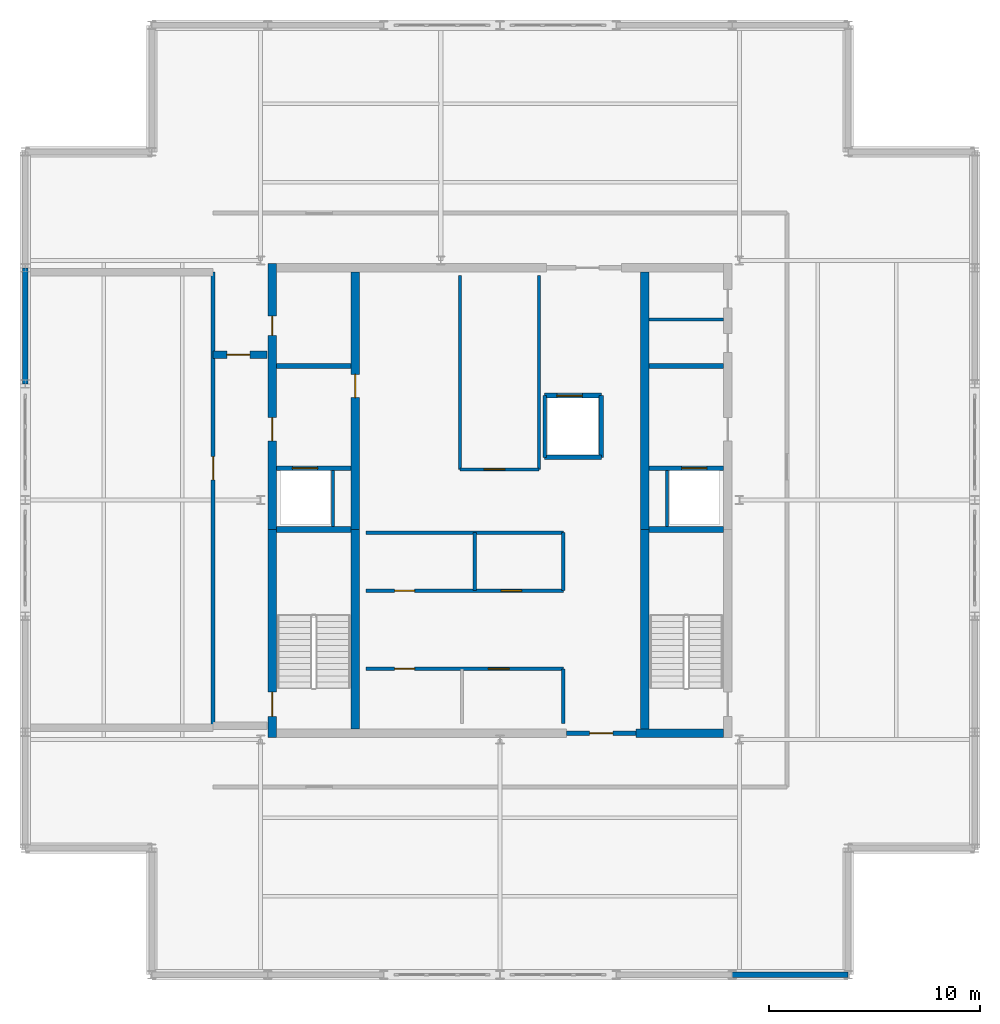
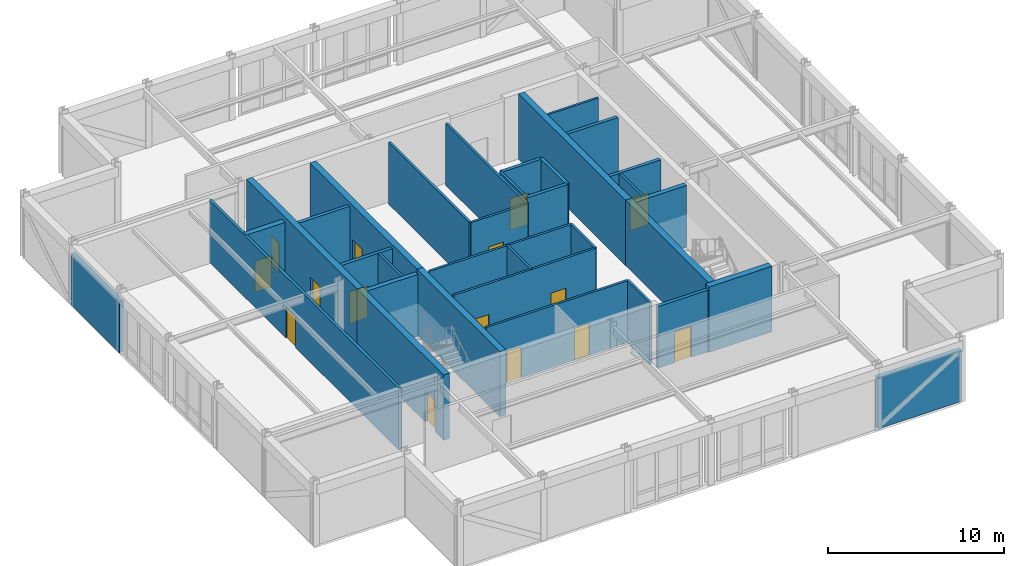
# One storey, part 7 of 9: 34 walls, 15 doors, 15 openings.
"""IFC4 building model written with IfcOpenShell, lengths in metres."""

from ifc_helpers import new_model, si_unit, direction, frame, frame_2d, origin, place, context, subcontext, project, spatial, rectangle, extrude, material, layer, layer_set, type_object, element, fill, save


model = new_model("IFC4")

# Units and contexts
model_context = context("Model", 3, precision=1e-05, world=origin(), true_north=direction((0.0, 1.0)))
body_context = subcontext(model_context, "Body", "Model", "MODEL_VIEW")
ifc_project = project(units=[si_unit("LENGTHUNIT", "METRE"), si_unit("AREAUNIT", "SQUARE_METRE"), si_unit("VOLUMEUNIT", "CUBIC_METRE"), si_unit("PLANEANGLEUNIT", "RADIAN"), si_unit("MASSUNIT", "GRAM", prefix="KILO")], contexts=[model_context])

# Site, building, storey
site_placement = place(None, origin())
site = spatial("IfcSite", under=ifc_project, at=site_placement, CompositionType="ELEMENT")
building_placement = place(site_placement, origin())
building = spatial("IfcBuilding", under=site, at=building_placement, Name="Nhamokura Convention Tower", CompositionType="ELEMENT")
storey_placement = place(building_placement, frame((0.0, 0.0, 317.800048828125)))
storey = spatial("IfcBuildingStorey", under=building, at=storey_placement, Name="L78", CompositionType="ELEMENT", Elevation=317.800048828125)

# Walls
ifc_material_1 = material(Name="Moisture-resistant tile-backer partition", Category="masonry")
ifc_layer_1 = layer(ifc_material_1, 0.139892578125)
ifc_layer_set_1 = layer_set([ifc_layer_1], Name="BathroomWetWall_140")
wall_type_1 = type_object("IfcWallType", Name="BathroomWetWall_140", PredefinedType="STANDARD", material=ifc_layer_set_1)
wall_1_placement = place(storey_placement, frame((39.06005859375, 40.550048828125, 0.0), z_axis=(0.0, 0.0, 1.0), x_axis=(1.0, 0.0, 0.0)))
element("IfcWall", 1, at=wall_1_placement, inside=storey, type_object=wall_type_1, Name="L78 Wall INT-L78-CWNE", PredefinedType="STANDARD", context=body_context, shape_type="SweptSolid", body=[
    extrude(rectangle(XDim=3.530029296875, YDim=0.139892578125, at=frame_2d((1.76513671875, 0.0))), origin(), (0.0, 0.0, 1.0), 4.2900390625),
])
ifc_material_2 = material(Name="Bronze-pigmented precast concrete C45/55", Category="concrete")
ifc_layer_2 = layer(ifc_material_2, 0.280029296875)
ifc_layer_set_2 = layer_set([ifc_layer_2], Name="BronzePrecastSpandrel_280")
wall_type_2 = type_object("IfcWallType", Name="BronzePrecastSpandrel_280", PredefinedType="USERDEFINED", material=ifc_layer_set_2)
for number, where, z_axis, x_axis, name in (
    (2, (48.5, 9.5, 0.0), (0.0, 0.0, 1.0), (-1.0, 0.0, 0.0), "L78 Crown Wall SOUTH 5"),
    (3, (9.5, 37.5, 0.0), (0.0, 0.0, 1.0), (0.0, 1.0, 0.0), "L78 Crown Wall WEST 4"),
):
    element("IfcWall", number, at=place(storey_placement, frame(where, z_axis=z_axis, x_axis=x_axis)), inside=storey, type_object=wall_type_2, Name=name, ObjectType="SPANDREL_WALL", PredefinedType="USERDEFINED", context=body_context, shape_type="SweptSolid", body=[
        extrude(rectangle(XDim=5.5, YDim=0.280029296875, at=frame_2d((2.75, 0.0))), origin(), (0.0, 0.0, 1.0), 3.570068359375),
    ])

# Wall, opening, door
ifc_material_3 = material(Name="Concrete C50/60", Category="concrete")
ifc_layer_3 = layer(ifc_material_3, 0.39990234375)
ifc_layer_set_3 = layer_set([ifc_layer_3], Name="CoreShearWall_400")
wall_type_3 = type_object("IfcWallType", Name="CoreShearWall_400", PredefinedType="SHEAR", material=ifc_layer_set_3)
wall_2_placement = place(storey_placement, frame((21.2099609375, 20.75, 0.0), z_axis=(0.0, 0.0, 1.0), x_axis=(0.0, 1.0, 0.0)))
wall_2 = element("IfcWall", 4, at=wall_2_placement, inside=storey, type_object=wall_type_3, Name="L78 Core Shear Wall CW-WS", PredefinedType="SHEAR", context=body_context, shape_type="SweptSolid", body=[
    extrude(rectangle(XDim=9.85009765625, YDim=0.39990234375, at=frame_2d((4.925048828125, 0.0))), origin(), (0.0, 0.0, 1.0), 4.550048828125),
])
opening_1_placement = place(wall_2_placement, frame((1.0, 0.0, 0.0)))
opening_1 = element("IfcOpeningElement", 5, at=opening_1_placement, cuts=wall_2, Name="Opening D-04", PredefinedType="OPENING", context=body_context, shape_type="SweptSolid", body=[
    extrude(rectangle(XDim=1.14990234375, YDim=2.14990234375, at=frame_2d((0.574951171875, 1.074951171875))), frame((0.0, 0.2099609375, 0.0), z_axis=(0.0, -1.0, 0.0), x_axis=(1.0, 0.0, 0.0)), (0.0, 0.0, 1.0), 0.419921875),
])
ifc_material_4 = material(Name="Fire-rated steel door", Category="steel")
door_type_1 = type_object("IfcDoorType", Name="StairSmokeDoor_1150", OperationType="NOTDEFINED", PredefinedType="DOOR", material=ifc_material_4)
door_1_placement = place(opening_1_placement, origin())
door_1 = element("IfcDoor", 6, at=door_1_placement, inside=storey, type_object=door_type_1, Name="L78 Core Door INT-L78-D-ST01", OperationType="SINGLE_SWING_LEFT", OverallHeight=2.14990234375, OverallWidth=1.14990234375, PredefinedType="DOOR", context=body_context, shape_type="SweptSolid", body=[
    extrude(rectangle(XDim=1.14990234375, YDim=2.14990234375, at=frame_2d((0.574951171875, 1.074951171875))), frame((0.0, 0.02490234375, 0.0), z_axis=(0.0, -1.0, 0.0), x_axis=(1.0, 0.0, 0.0)), (0.0, 0.0, 1.0), 0.050048828125),
])
fill(opening_1, door_1)

# Wall, openings, doors
wall_3_placement = place(storey_placement, frame((21.2099609375, 30.60009765625, 0.0), z_axis=(0.0, 0.0, 1.0), x_axis=(0.0, 1.0, 0.0)))
wall_3 = element("IfcWall", 7, at=wall_3_placement, inside=storey, type_object=wall_type_3, Name="L78 Core Shear Wall CW-WN", PredefinedType="SHEAR", context=body_context, shape_type="SweptSolid", body=[
    extrude(rectangle(XDim=12.599853515625, YDim=0.39990234375, at=frame_2d((6.2998046875, 0.0))), origin(), (0.0, 0.0, 1.0), 4.550048828125),
])
opening_2_placement = place(wall_3_placement, frame((4.199951171875, 0.0, 0.0)))
opening_2 = element("IfcOpeningElement", 8, at=opening_2_placement, cuts=wall_3, Name="Opening D-05", PredefinedType="OPENING", context=body_context, shape_type="SweptSolid", body=[
    extrude(rectangle(XDim=1.10009765625, YDim=2.14990234375, at=frame_2d((0.550048828125, 1.074951171875))), frame((0.0, 0.2099609375, 0.0), z_axis=(0.0, -1.0, 0.0), x_axis=(1.0, 0.0, 0.0)), (0.0, 0.0, 1.0), 0.419921875),
])
opening_3_placement = place(wall_3_placement, frame((9.199951171875, 0.0, 0.0)))
opening_3 = element("IfcOpeningElement", 9, at=opening_3_placement, cuts=wall_3, Name="Opening D-10", PredefinedType="OPENING", context=body_context, shape_type="SweptSolid", body=[
    extrude(rectangle(XDim=0.919921875, YDim=2.10009765625, at=frame_2d((0.4599609375, 1.050048828125))), frame((0.0, 0.2099609375, 0.0), z_axis=(0.0, -1.0, 0.0), x_axis=(1.0, 0.0, 0.0)), (0.0, 0.0, 1.0), 0.419921875),
])
ifc_material_5 = material(Name="Solid oak hardwood", Category="wood")
door_type_2 = type_object("IfcDoorType", Name="AccessibleWCDoor_920", OperationType="NOTDEFINED", PredefinedType="DOOR", material=ifc_material_5)
door_2_placement = place(opening_3_placement, origin())
door_2 = element("IfcDoor", 10, at=door_2_placement, inside=storey, type_object=door_type_2, Name="L78 Core Door INT-L78-D-AWC", OperationType="SINGLE_SWING_LEFT", OverallHeight=2.10009765625, OverallWidth=0.919921875, PredefinedType="DOOR", context=body_context, shape_type="SweptSolid", body=[
    extrude(rectangle(XDim=0.919921875, YDim=2.10009765625, at=frame_2d((0.4599609375, 1.050048828125))), frame((0.0, 0.02490234375, 0.0), z_axis=(0.0, -1.0, 0.0), x_axis=(1.0, 0.0, 0.0)), (0.0, 0.0, 1.0), 0.050048828125),
])
fill(opening_3, door_2)
ifc_material_6 = material(Name="Fire-rated steel door", Category="steel")
door_type_3 = type_object("IfcDoorType", Name="FireLobbyDoor_1100", OperationType="NOTDEFINED", PredefinedType="DOOR", material=ifc_material_6)
door_3_placement = place(opening_2_placement, origin())
door_3 = element("IfcDoor", 11, at=door_3_placement, inside=storey, type_object=door_type_3, Name="L78 Core Door INT-L78-D-FFLW", OperationType="SINGLE_SWING_RIGHT", OverallHeight=2.14990234375, OverallWidth=1.10009765625, PredefinedType="DOOR", context=body_context, shape_type="SweptSolid", body=[
    extrude(rectangle(XDim=1.10009765625, YDim=2.14990234375, at=frame_2d((0.550048828125, 1.074951171875))), frame((0.0, 0.02490234375, 0.0), z_axis=(0.0, -1.0, 0.0), x_axis=(1.0, 0.0, 0.0)), (0.0, 0.0, 1.0), 0.050048828125),
])
fill(opening_2, door_3)

# Walls
wall_4_placement = place(storey_placement, frame((38.449951171875, 20.949951171875, 0.0), z_axis=(0.0, 0.0, 1.0), x_axis=(1.0, 0.0, 0.0)))
element("IfcWall", 12, at=wall_4_placement, inside=storey, type_object=wall_type_3, Name="L78 Core Shear Wall CW-S2", PredefinedType="SHEAR", context=body_context, shape_type="SweptSolid", body=[
    extrude(rectangle(XDim=4.14013671875, YDim=0.39990234375, at=frame_2d((2.070068359375, 0.0))), origin(), (0.0, 0.0, 1.0), 4.550048828125),
])
wall_5_placement = place(storey_placement, frame((25.139892578125, 21.14990234375, 0.0), z_axis=(0.0, 0.0, 1.0), x_axis=(0.0, 1.0, 0.0)))
element("IfcWall", 13, at=wall_5_placement, inside=storey, type_object=wall_type_3, Name="L78 Core Shear Wall CW-IWS", PredefinedType="SHEAR", context=body_context, shape_type="SweptSolid", body=[
    extrude(rectangle(XDim=9.4501953125, YDim=0.39990234375, at=frame_2d((4.72509765625, 0.0))), origin(), (0.0, 0.0, 1.0), 4.550048828125),
])

# Wall, opening, door
wall_6_placement = place(storey_placement, frame((25.139892578125, 30.60009765625, 0.0), z_axis=(0.0, 0.0, 1.0), x_axis=(0.0, 1.0, 0.0)))
wall_6 = element("IfcWall", 14, at=wall_6_placement, inside=storey, type_object=wall_type_3, Name="L78 Core Shear Wall CW-IWN", PredefinedType="SHEAR", context=body_context, shape_type="SweptSolid", body=[
    extrude(rectangle(XDim=12.199951171875, YDim=0.39990234375, at=frame_2d((6.10009765625, 0.0))), origin(), (0.0, 0.0, 1.0), 4.550048828125),
])
opening_4_placement = place(wall_6_placement, frame((6.25, 0.0, 0.0)))
opening_4 = element("IfcOpeningElement", 15, at=opening_4_placement, cuts=wall_6, Name="Opening D-05", PredefinedType="OPENING", context=body_context, shape_type="SweptSolid", body=[
    extrude(rectangle(XDim=1.10009765625, YDim=2.14990234375, at=frame_2d((0.550048828125, 1.074951171875))), frame((0.0, 0.2099609375, 0.0), z_axis=(0.0, -1.0, 0.0), x_axis=(1.0, 0.0, 0.0)), (0.0, 0.0, 1.0), 0.419921875),
])
door_4_placement = place(opening_4_placement, origin())
door_4 = element("IfcDoor", 16, at=door_4_placement, inside=storey, type_object=door_type_3, Name="L78 Core Door INT-L78-D-B3LOB", OperationType="SINGLE_SWING_LEFT", OverallHeight=2.14990234375, OverallWidth=1.10009765625, PredefinedType="DOOR", context=body_context, shape_type="SweptSolid", body=[
    extrude(rectangle(XDim=1.10009765625, YDim=2.14990234375, at=frame_2d((0.550048828125, 1.074951171875))), frame((0.0, 0.02490234375, 0.0), z_axis=(0.0, -1.0, 0.0), x_axis=(1.0, 0.0, 0.0)), (0.0, 0.0, 1.0), 0.050048828125),
])
fill(opening_4, door_4)

# Walls
wall_7_placement = place(storey_placement, frame((38.860107421875, 21.14990234375, 0.0), z_axis=(0.0, 0.0, 1.0), x_axis=(0.0, 1.0, 0.0)))
element("IfcWall", 17, at=wall_7_placement, inside=storey, type_object=wall_type_3, Name="L78 Core Shear Wall CW-IES", PredefinedType="SHEAR", context=body_context, shape_type="SweptSolid", body=[
    extrude(rectangle(XDim=9.4501953125, YDim=0.39990234375, at=frame_2d((4.72509765625, 0.0))), origin(), (0.0, 0.0, 1.0), 4.550048828125),
])
wall_8_placement = place(storey_placement, frame((38.860107421875, 30.60009765625, 0.0), z_axis=(0.0, 0.0, 1.0), x_axis=(0.0, 1.0, 0.0)))
element("IfcWall", 18, at=wall_8_placement, inside=storey, type_object=wall_type_3, Name="L78 Core Shear Wall CW-IEN", PredefinedType="SHEAR", context=body_context, shape_type="SweptSolid", body=[
    extrude(rectangle(XDim=12.199951171875, YDim=0.39990234375, at=frame_2d((6.10009765625, 0.0))), origin(), (0.0, 0.0, 1.0), 4.550048828125),
])

# Wall, opening, door
ifc_material_7 = material(Name="Fire-rated gypsum and masonry partition", Category="masonry")
ifc_layer_4 = layer(ifc_material_7, 0.179931640625)
ifc_layer_set_4 = layer_set([ifc_layer_4], Name="CorridorRatedWall_180")
wall_type_4 = type_object("IfcWallType", Name="CorridorRatedWall_180", PredefinedType="STANDARD", material=ifc_layer_set_4)
wall_9_placement = place(storey_placement, frame((18.39990234375, 21.199951171875, 0.0), z_axis=(0.0, 0.0, 1.0), x_axis=(0.0, 1.0, 0.0)))
wall_9 = element("IfcWall", 19, at=wall_9_placement, inside=storey, type_object=wall_type_4, Name="L78 Wall INT-L78-CW-W00", PredefinedType="STANDARD", context=body_context, shape_type="SweptSolid", body=[
    extrude(rectangle(XDim=21.60009765625, YDim=0.179931640625, at=frame_2d((10.800048828125, 0.0))), origin(), (0.0, 0.0, 1.0), 4.2900390625),
])
opening_5_placement = place(wall_9_placement, frame((11.75, 0.0, 0.0)))
opening_5 = element("IfcOpeningElement", 20, at=opening_5_placement, cuts=wall_9, Name="Opening D-05", PredefinedType="OPENING", context=body_context, shape_type="SweptSolid", body=[
    extrude(rectangle(XDim=1.10009765625, YDim=2.14990234375, at=frame_2d((0.550048828125, 1.074951171875))), frame((0.0, 0.099853515625, 0.0), z_axis=(0.0, -1.0, 0.0), x_axis=(1.0, 0.0, 0.0)), (0.0, 0.0, 1.0), 0.199951171875),
])
door_5_placement = place(opening_5_placement, origin())
door_5 = element("IfcDoor", 21, at=door_5_placement, inside=storey, type_object=door_type_3, Name="L78 Glycol Heat-Recovery Plant W01 Door", OperationType="SINGLE_SWING_LEFT", OverallHeight=2.14990234375, OverallWidth=1.10009765625, PredefinedType="DOOR", context=body_context, shape_type="SweptSolid", body=[
    extrude(rectangle(XDim=1.10009765625, YDim=2.14990234375, at=frame_2d((0.550048828125, 1.074951171875))), frame((0.0, 0.02490234375, 0.0), z_axis=(0.0, -1.0, 0.0), x_axis=(1.0, 0.0, 0.0)), (0.0, 0.0, 1.0), 0.050048828125),
])
fill(opening_5, door_5)

ifc_material_8 = material(Name="Autoclaved concrete blockwork", Category="masonry")
ifc_layer_5 = layer(ifc_material_8, 0.219970703125)
ifc_layer_set_5 = layer_set([ifc_layer_5], Name="FireLobbyWall_220")
wall_type_5 = type_object("IfcWallType", Name="FireLobbyWall_220", PredefinedType="STANDARD", material=ifc_layer_set_5)
wall_10_placement = place(storey_placement, frame((21.409912109375, 33.5, 0.0), z_axis=(0.0, 0.0, 1.0), x_axis=(1.0, 0.0, 0.0)))
wall_10 = element("IfcWall", 22, at=wall_10_placement, inside=storey, type_object=wall_type_5, Name="L78 Wall INT-L78-FFW-S", PredefinedType="STANDARD", context=body_context, shape_type="SweptSolid", body=[
    extrude(rectangle(XDim=3.530029296875, YDim=0.219970703125, at=frame_2d((1.76513671875, 0.0))), origin(), (0.0, 0.0, 1.0), 4.2900390625),
])
opening_6_placement = place(wall_10_placement, frame((0.75, 0.0, 0.0)))
opening_6 = element("IfcOpeningElement", 23, at=opening_6_placement, cuts=wall_10, Name="Opening LD-02", PredefinedType="OPENING", context=body_context, shape_type="SweptSolid", body=[
    extrude(rectangle(XDim=1.199951171875, YDim=2.199951171875, at=frame_2d((0.60009765625, 1.10009765625))), frame((0.0, 0.119873046875, 0.0), z_axis=(0.0, -1.0, 0.0), x_axis=(1.0, 0.0, 0.0)), (0.0, 0.0, 1.0), 0.239990234375),
])
ifc_material_9 = material(Name="Anodised bronze stainless steel", Category="steel")
door_type_4 = type_object("IfcDoorType", Name="LiftLandingDoor_FireService", OperationType="DOUBLE_DOOR_SLIDING", PredefinedType="DOOR", material=ifc_material_9)
door_6_placement = place(opening_6_placement, origin())
door_6 = element("IfcDoor", 24, at=door_6_placement, inside=storey, type_object=door_type_4, Name="L78 Firefighting Lift LF-01 Door", OperationType="DOUBLE_DOOR_SLIDING", OverallHeight=2.199951171875, OverallWidth=1.199951171875, PredefinedType="DOOR", context=body_context, shape_type="SweptSolid", body=[
    extrude(rectangle(XDim=1.199951171875, YDim=2.199951171875, at=frame_2d((0.60009765625, 1.10009765625))), frame((0.0, 0.02490234375, 0.0), z_axis=(0.0, -1.0, 0.0), x_axis=(1.0, 0.0, 0.0)), (0.0, 0.0, 1.0), 0.050048828125),
])
fill(opening_6, door_6)

wall_11_placement = place(storey_placement, frame((39.06005859375, 33.5, 0.0), z_axis=(0.0, 0.0, 1.0), x_axis=(1.0, 0.0, 0.0)))
wall_11 = element("IfcWall", 25, at=wall_11_placement, inside=storey, type_object=wall_type_5, Name="L78 Wall INT-L78-FFE-S", PredefinedType="STANDARD", context=body_context, shape_type="SweptSolid", body=[
    extrude(rectangle(XDim=3.530029296875, YDim=0.219970703125, at=frame_2d((1.76513671875, 0.0))), origin(), (0.0, 0.0, 1.0), 4.2900390625),
])
opening_7_placement = place(wall_11_placement, frame((1.550048828125, 0.0, 0.0)))
opening_7 = element("IfcOpeningElement", 26, at=opening_7_placement, cuts=wall_11, Name="Opening LD-02", PredefinedType="OPENING", context=body_context, shape_type="SweptSolid", body=[
    extrude(rectangle(XDim=1.199951171875, YDim=2.199951171875, at=frame_2d((0.60009765625, 1.10009765625))), frame((0.0, 0.119873046875, 0.0), z_axis=(0.0, -1.0, 0.0), x_axis=(1.0, 0.0, 0.0)), (0.0, 0.0, 1.0), 0.239990234375),
])
door_7_placement = place(opening_7_placement, origin())
door_7 = element("IfcDoor", 27, at=door_7_placement, inside=storey, type_object=door_type_4, Name="L78 Firefighting Lift LF-02 Door", OperationType="DOUBLE_DOOR_SLIDING", OverallHeight=2.199951171875, OverallWidth=1.199951171875, PredefinedType="DOOR", context=body_context, shape_type="SweptSolid", body=[
    extrude(rectangle(XDim=1.199951171875, YDim=2.199951171875, at=frame_2d((0.60009765625, 1.10009765625))), frame((0.0, 0.02490234375, 0.0), z_axis=(0.0, -1.0, 0.0), x_axis=(1.0, 0.0, 0.0)), (0.0, 0.0, 1.0), 0.050048828125),
])
fill(opening_7, door_7)

# Walls
for number, where, z_axis, x_axis, name in (
    (28, (21.409912109375, 38.35009765625, 0.0), (0.0, 0.0, 1.0), (1.0, 0.0, 0.0), "L78 Wall INT-L78-FFW-N"),
    (29, (39.06005859375, 38.35009765625, 0.0), (0.0, 0.0, 1.0), (1.0, 0.0, 0.0), "L78 Wall INT-L78-FFE-N"),
):
    element("IfcWall", number, at=place(storey_placement, frame(where, z_axis=z_axis, x_axis=x_axis)), inside=storey, type_object=wall_type_5, Name=name, PredefinedType="STANDARD", context=body_context, shape_type="SweptSolid", body=[
        extrude(rectangle(XDim=3.530029296875, YDim=0.219970703125, at=frame_2d((1.76513671875, 0.0))), origin(), (0.0, 0.0, 1.0), 4.2900390625),
    ])

# Wall, opening, door
wall_12_placement = place(storey_placement, frame((35.14990234375, 20.949951171875, 0.0), z_axis=(0.0, 0.0, 1.0), x_axis=(1.0, 0.0, 0.0)))
wall_12 = element("IfcWall", 30, at=wall_12_placement, inside=storey, type_object=wall_type_5, Name="L78 Wall INT-L78-SPORT-S", PredefinedType="STANDARD", context=body_context, shape_type="SweptSolid", body=[
    extrude(rectangle(XDim=3.300048828125, YDim=0.219970703125, at=frame_2d((1.64990234375, 0.0))), origin(), (0.0, 0.0, 1.0), 4.2900390625),
])
opening_8_placement = place(wall_12_placement, frame((1.10009765625, 0.0, 0.0)))
opening_8 = element("IfcOpeningElement", 31, at=opening_8_placement, cuts=wall_12, Name="Opening D-05", PredefinedType="OPENING", context=body_context, shape_type="SweptSolid", body=[
    extrude(rectangle(XDim=1.10009765625, YDim=2.14990234375, at=frame_2d((0.550048828125, 1.074951171875))), frame((0.0, 0.119873046875, 0.0), z_axis=(0.0, -1.0, 0.0), x_axis=(1.0, 0.0, 0.0)), (0.0, 0.0, 1.0), 0.239990234375),
])
door_8_placement = place(opening_8_placement, origin())
door_8 = element("IfcDoor", 32, at=door_8_placement, inside=storey, type_object=door_type_3, Name="L78 South Core Lobby Portal Door", OperationType="SINGLE_SWING_LEFT", OverallHeight=2.14990234375, OverallWidth=1.10009765625, PredefinedType="DOOR", context=body_context, shape_type="SweptSolid", body=[
    extrude(rectangle(XDim=1.10009765625, YDim=2.14990234375, at=frame_2d((0.550048828125, 1.074951171875))), frame((0.0, 0.02490234375, 0.0), z_axis=(0.0, -1.0, 0.0), x_axis=(1.0, 0.0, 0.0)), (0.0, 0.0, 1.0), 0.050048828125),
])
fill(opening_8, door_8)

wall_13_placement = place(storey_placement, frame((34.1201171875, 36.949951171875, 0.0), z_axis=(0.0, 0.0, 1.0), x_axis=(1.0, 0.0, 0.0)))
wall_13 = element("IfcWall", 33, at=wall_13_placement, inside=storey, type_object=wall_type_5, Name="L78 Wall INT-L78-LSN", PredefinedType="STANDARD", context=body_context, shape_type="SweptSolid", body=[
    extrude(rectangle(XDim=2.679931640625, YDim=0.219970703125, at=frame_2d((1.33984375, 0.0))), origin(), (0.0, 0.0, 1.0), 4.2900390625),
])
opening_9_placement = place(wall_13_placement, frame((0.580078125, 0.0, 0.0)))
opening_9 = element("IfcOpeningElement", 34, at=opening_9_placement, cuts=wall_13, Name="Opening LD-02", PredefinedType="OPENING", context=body_context, shape_type="SweptSolid", body=[
    extrude(rectangle(XDim=1.199951171875, YDim=2.199951171875, at=frame_2d((0.60009765625, 1.10009765625))), frame((0.0, 0.119873046875, 0.0), z_axis=(0.0, -1.0, 0.0), x_axis=(1.0, 0.0, 0.0)), (0.0, 0.0, 1.0), 0.239990234375),
])
door_9_placement = place(opening_9_placement, origin())
door_9 = element("IfcDoor", 35, at=door_9_placement, inside=storey, type_object=door_type_4, Name="L78 Service Lift LS-01 Door", OperationType="DOUBLE_DOOR_SLIDING", OverallHeight=2.199951171875, OverallWidth=1.199951171875, PredefinedType="DOOR", context=body_context, shape_type="SweptSolid", body=[
    extrude(rectangle(XDim=1.199951171875, YDim=2.199951171875, at=frame_2d((0.60009765625, 1.10009765625))), frame((0.0, 0.02490234375, 0.0), z_axis=(0.0, -1.0, 0.0), x_axis=(1.0, 0.0, 0.0)), (0.0, 0.0, 1.0), 0.050048828125),
])
fill(opening_9, door_9)

# Walls
wall_14_placement = place(storey_placement, frame((36.800048828125, 34.02001953125, 0.0), z_axis=(0.0, 0.0, 1.0), x_axis=(0.0, 1.0, 0.0)))
element("IfcWall", 36, at=wall_14_placement, inside=storey, type_object=wall_type_5, Name="L78 Wall INT-L78-LSE", PredefinedType="STANDARD", context=body_context, shape_type="SweptSolid", body=[
    extrude(rectangle(XDim=2.929931640625, YDim=0.219970703125, at=frame_2d((1.46484375, 0.0))), origin(), (0.0, 0.0, 1.0), 4.2900390625),
])
wall_15_placement = place(storey_placement, frame((34.1201171875, 34.02001953125, 0.0), z_axis=(0.0, 0.0, 1.0), x_axis=(1.0, 0.0, 0.0)))
element("IfcWall", 37, at=wall_15_placement, inside=storey, type_object=wall_type_5, Name="L78 Wall INT-L78-LSS", PredefinedType="STANDARD", context=body_context, shape_type="SweptSolid", body=[
    extrude(rectangle(XDim=2.679931640625, YDim=0.219970703125, at=frame_2d((1.33984375, 0.0))), origin(), (0.0, 0.0, 1.0), 4.2900390625),
])

# Wall, opening, door
ifc_material_10 = material(Name="Concrete C50/60", Category="concrete")
ifc_layer_6 = layer(ifc_material_10, 0.35009765625)
ifc_layer_set_6 = layer_set([ifc_layer_6], Name="FirewallPlant_350")
wall_type_6 = type_object("IfcWallType", Name="FirewallPlant_350", PredefinedType="STANDARD", material=ifc_layer_set_6)
wall_16_placement = place(storey_placement, frame((18.39990234375, 38.8798828125, 0.0), z_axis=(0.0, 0.0, 1.0), x_axis=(1.0, 0.0, 0.0)))
wall_16 = element("IfcWall", 38, at=wall_16_placement, inside=storey, type_object=wall_type_6, Name="L78 Wall INT-L78-RLOB-N", PredefinedType="STANDARD", context=body_context, shape_type="SweptSolid", body=[
    extrude(rectangle(XDim=2.550048828125, YDim=0.35009765625, at=frame_2d((1.27490234375, 0.0))), origin(), (0.0, 0.0, 1.0), 4.2900390625),
])
opening_10_placement = place(wall_16_placement, frame((0.64990234375, 0.0, 0.0)))
opening_10 = element("IfcOpeningElement", 39, at=opening_10_placement, cuts=wall_16, Name="Opening D-05", PredefinedType="OPENING", context=body_context, shape_type="SweptSolid", body=[
    extrude(rectangle(XDim=1.10009765625, YDim=2.14990234375, at=frame_2d((0.550048828125, 1.074951171875))), frame((0.0, 0.18505859375, 0.0), z_axis=(0.0, -1.0, 0.0), x_axis=(1.0, 0.0, 0.0)), (0.0, 0.0, 1.0), 0.3701171875),
])
door_10_placement = place(opening_10_placement, origin())
door_10 = element("IfcDoor", 40, at=door_10_placement, inside=storey, type_object=door_type_3, Name="L78 Refuge Lobby North Door", OperationType="SINGLE_SWING_RIGHT", OverallHeight=2.14990234375, OverallWidth=1.10009765625, PredefinedType="DOOR", context=body_context, shape_type="SweptSolid", body=[
    extrude(rectangle(XDim=1.10009765625, YDim=2.14990234375, at=frame_2d((0.550048828125, 1.074951171875))), frame((0.0, 0.02490234375, 0.0), z_axis=(0.0, -1.0, 0.0), x_axis=(1.0, 0.0, 0.0)), (0.0, 0.0, 1.0), 0.050048828125),
])
fill(opening_10, door_10)

# Walls
ifc_material_11 = material(Name="Acoustic gypsum stud partition", Category="masonry")
ifc_layer_7 = layer(ifc_material_11, 0.14990234375)
ifc_layer_set_7 = layer_set([ifc_layer_7], Name="InteriorPartition_150")
wall_type_7 = type_object("IfcWallType", Name="InteriorPartition_150", PredefinedType="STANDARD", material=ifc_layer_set_7)
for number, where, z_axis, x_axis, name in (
    (41, (24.080078125, 30.75, 0.0), (0.0, 0.0, 1.0), (0.0, 1.0, 0.0), "L78 Wall INT-L78-FF1-E"),
    (42, (39.919921875, 30.75, 0.0), (0.0, 0.0, 1.0), (0.0, 1.0, 0.0), "L78 Wall INT-L78-FF2-W"),
):
    element("IfcWall", number, at=place(storey_placement, frame(where, z_axis=z_axis, x_axis=x_axis)), inside=storey, type_object=wall_type_7, Name=name, PredefinedType="STANDARD", context=body_context, shape_type="SweptSolid", body=[
        extrude(rectangle(XDim=2.64990234375, YDim=0.14990234375, at=frame_2d((1.324951171875, 0.0))), origin(), (0.0, 0.0, 1.0), 4.2900390625),
    ])

# Wall, openings, doors
wall_17_placement = place(storey_placement, frame((25.64990234375, 24.0, 0.0), z_axis=(0.0, 0.0, 1.0), x_axis=(1.0, 0.0, 0.0)))
wall_17 = element("IfcWall", 43, at=wall_17_placement, inside=storey, type_object=wall_type_7, Name="L78 Wall INT-L78-B1R-N", PredefinedType="STANDARD", context=body_context, shape_type="SweptSolid", body=[
    extrude(rectangle(XDim=9.35009765625, YDim=0.14990234375, at=frame_2d((4.675048828125, 0.0))), origin(), (0.0, 0.0, 1.0), 4.2900390625),
])
opening_11_placement = place(wall_17_placement, frame((1.35009765625, 0.0, 0.0)))
opening_11 = element("IfcOpeningElement", 44, at=opening_11_placement, cuts=wall_17, Name="Opening D-09", PredefinedType="OPENING", context=body_context, shape_type="SweptSolid", body=[
    extrude(rectangle(XDim=0.949951171875, YDim=2.14990234375, at=frame_2d((0.47509765625, 1.074951171875))), frame((0.0, 0.0849609375, 0.0), z_axis=(0.0, -1.0, 0.0), x_axis=(1.0, 0.0, 0.0)), (0.0, 0.0, 1.0), 0.169921875),
])
opening_12_placement = place(wall_17_placement, frame((5.800048828125, 0.0, 0.0)))
opening_12 = element("IfcOpeningElement", 45, at=opening_12_placement, cuts=wall_17, Name="Opening D-08", PredefinedType="OPENING", context=body_context, shape_type="SweptSolid", body=[
    extrude(rectangle(XDim=0.97998046875, YDim=2.199951171875, at=frame_2d((0.489990234375, 1.10009765625))), frame((0.0, 0.0849609375, 0.0), z_axis=(0.0, -1.0, 0.0), x_axis=(1.0, 0.0, 0.0)), (0.0, 0.0, 1.0), 0.169921875),
])
ifc_material_12 = material(Name="Solid oak hardwood", Category="wood")
door_type_5 = type_object("IfcDoorType", Name="MeetingRoomDoor_950", OperationType="NOTDEFINED", PredefinedType="DOOR", material=ifc_material_12)
door_11_placement = place(opening_11_placement, origin())
door_11 = element("IfcDoor", 46, at=door_11_placement, inside=storey, type_object=door_type_5, Name="L78 Reclaimed Briefing Room Door", OperationType="SINGLE_SWING_LEFT", OverallHeight=2.14990234375, OverallWidth=0.949951171875, PredefinedType="DOOR", context=body_context, shape_type="SweptSolid", body=[
    extrude(rectangle(XDim=0.949951171875, YDim=2.14990234375, at=frame_2d((0.47509765625, 1.074951171875))), frame((0.0, 0.02490234375, 0.0), z_axis=(0.0, -1.0, 0.0), x_axis=(1.0, 0.0, 0.0)), (0.0, 0.0, 1.0), 0.050048828125),
])
fill(opening_11, door_11)
ifc_material_13 = material(Name="Solid oak hardwood", Category="wood")
door_type_6 = type_object("IfcDoorType", Name="OfficeEntryDoor_980", OperationType="NOTDEFINED", PredefinedType="DOOR", material=ifc_material_13)
door_12_placement = place(opening_12_placement, origin())
door_12 = element("IfcDoor", 47, at=door_12_placement, inside=storey, type_object=door_type_6, Name="L78 Reclaimed Hub Door", OperationType="SINGLE_SWING_RIGHT", OverallHeight=2.199951171875, OverallWidth=0.97998046875, PredefinedType="DOOR", context=body_context, shape_type="SweptSolid", body=[
    extrude(rectangle(XDim=0.97998046875, YDim=2.199951171875, at=frame_2d((0.489990234375, 1.10009765625))), frame((0.0, 0.02490234375, 0.0), z_axis=(0.0, -1.0, 0.0), x_axis=(1.0, 0.0, 0.0)), (0.0, 0.0, 1.0), 0.050048828125),
])
fill(opening_12, door_12)

# Wall
wall_18_placement = place(storey_placement, frame((35.0, 21.39990234375, 0.0), z_axis=(0.0, 0.0, 1.0), x_axis=(0.0, 1.0, 0.0)))
element("IfcWall", 48, at=wall_18_placement, inside=storey, type_object=wall_type_7, Name="L78 Wall INT-L78-B1R-E", PredefinedType="STANDARD", context=body_context, shape_type="SweptSolid", body=[
    extrude(rectangle(XDim=2.60009765625, YDim=0.14990234375, at=frame_2d((1.300048828125, 0.0))), origin(), (0.0, 0.0, 1.0), 4.2900390625),
])

# Wall, openings, doors
wall_19_placement = place(storey_placement, frame((25.64990234375, 27.699951171875, 0.0), z_axis=(0.0, 0.0, 1.0), x_axis=(1.0, 0.0, 0.0)))
wall_19 = element("IfcWall", 49, at=wall_19_placement, inside=storey, type_object=wall_type_7, Name="L78 Wall INT-L78-B2R-S", PredefinedType="STANDARD", context=body_context, shape_type="SweptSolid", body=[
    extrude(rectangle(XDim=9.35009765625, YDim=0.14990234375, at=frame_2d((4.675048828125, 0.0))), origin(), (0.0, 0.0, 1.0), 4.2900390625),
])
opening_13_placement = place(wall_19_placement, frame((1.35009765625, 0.0, 0.0)))
opening_13 = element("IfcOpeningElement", 50, at=opening_13_placement, cuts=wall_19, Name="Opening D-09", PredefinedType="OPENING", context=body_context, shape_type="SweptSolid", body=[
    extrude(rectangle(XDim=0.949951171875, YDim=2.14990234375, at=frame_2d((0.47509765625, 1.074951171875))), frame((0.0, 0.0849609375, 0.0), z_axis=(0.0, -1.0, 0.0), x_axis=(1.0, 0.0, 0.0)), (0.0, 0.0, 1.0), 0.169921875),
])
opening_14_placement = place(wall_19_placement, frame((6.39990234375, 0.0, 0.0)))
opening_14 = element("IfcOpeningElement", 51, at=opening_14_placement, cuts=wall_19, Name="Opening D-08", PredefinedType="OPENING", context=body_context, shape_type="SweptSolid", body=[
    extrude(rectangle(XDim=0.97998046875, YDim=2.199951171875, at=frame_2d((0.489990234375, 1.10009765625))), frame((0.0, 0.0849609375, 0.0), z_axis=(0.0, -1.0, 0.0), x_axis=(1.0, 0.0, 0.0)), (0.0, 0.0, 1.0), 0.169921875),
])
door_13_placement = place(opening_13_placement, origin())
door_13 = element("IfcDoor", 52, at=door_13_placement, inside=storey, type_object=door_type_5, Name="L78 Caucus Suite Door", OperationType="SINGLE_SWING_LEFT", OverallHeight=2.14990234375, OverallWidth=0.949951171875, PredefinedType="DOOR", context=body_context, shape_type="SweptSolid", body=[
    extrude(rectangle(XDim=0.949951171875, YDim=2.14990234375, at=frame_2d((0.47509765625, 1.074951171875))), frame((0.0, 0.02490234375, 0.0), z_axis=(0.0, -1.0, 0.0), x_axis=(1.0, 0.0, 0.0)), (0.0, 0.0, 1.0), 0.050048828125),
])
fill(opening_13, door_13)
door_14_placement = place(opening_14_placement, origin())
door_14 = element("IfcDoor", 53, at=door_14_placement, inside=storey, type_object=door_type_6, Name="L78 Summit Pantry Door", OperationType="SINGLE_SWING_RIGHT", OverallHeight=2.199951171875, OverallWidth=0.97998046875, PredefinedType="DOOR", context=body_context, shape_type="SweptSolid", body=[
    extrude(rectangle(XDim=0.97998046875, YDim=2.199951171875, at=frame_2d((0.489990234375, 1.10009765625))), frame((0.0, 0.02490234375, 0.0), z_axis=(0.0, -1.0, 0.0), x_axis=(1.0, 0.0, 0.0)), (0.0, 0.0, 1.0), 0.050048828125),
])
fill(opening_14, door_14)

# Walls
wall_20_placement = place(storey_placement, frame((25.64990234375, 30.449951171875, 0.0), z_axis=(0.0, 0.0, 1.0), x_axis=(1.0, 0.0, 0.0)))
element("IfcWall", 54, at=wall_20_placement, inside=storey, type_object=wall_type_7, Name="L78 Wall INT-L78-B2R-N", PredefinedType="STANDARD", context=body_context, shape_type="SweptSolid", body=[
    extrude(rectangle(XDim=9.35009765625, YDim=0.14990234375, at=frame_2d((4.675048828125, 0.0))), origin(), (0.0, 0.0, 1.0), 4.2900390625),
])
for number, where, z_axis, x_axis, name in (
    (55, (30.800048828125, 27.699951171875, 0.0), (0.0, 0.0, 1.0), (0.0, 1.0, 0.0), "L78 Wall INT-L78-B2R-M"),
    (56, (35.0, 27.699951171875, 0.0), (0.0, 0.0, 1.0), (0.0, 1.0, 0.0), "L78 Wall INT-L78-B2R-E"),
):
    element("IfcWall", number, at=place(storey_placement, frame(where, z_axis=z_axis, x_axis=x_axis)), inside=storey, type_object=wall_type_7, Name=name, PredefinedType="STANDARD", context=body_context, shape_type="SweptSolid", body=[
        extrude(rectangle(XDim=2.75, YDim=0.14990234375, at=frame_2d((1.375, 0.0))), origin(), (0.0, 0.0, 1.0), 4.2900390625),
    ])
for number, where, z_axis, x_axis, name in (
    (57, (30.10009765625, 33.449951171875, 0.0), (0.0, 0.0, 1.0), (0.0, 1.0, 0.0), "L78 Wall INT-L78-ST03W"),
    (58, (33.85009765625, 33.449951171875, 0.0), (0.0, 0.0, 1.0), (0.0, 1.0, 0.0), "L78 Wall INT-L78-ST03E"),
):
    element("IfcWall", number, at=place(storey_placement, frame(where, z_axis=z_axis, x_axis=x_axis)), inside=storey, type_object=wall_type_7, Name=name, PredefinedType="STANDARD", context=body_context, shape_type="SweptSolid", body=[
        extrude(rectangle(XDim=9.199951171875, YDim=0.14990234375, at=frame_2d((4.60009765625, 0.0))), origin(), (0.0, 0.0, 1.0), 4.2900390625),
    ])

# Wall, opening, door
wall_21_placement = place(storey_placement, frame((30.10009765625, 33.449951171875, 0.0), z_axis=(0.0, 0.0, 1.0), x_axis=(1.0, 0.0, 0.0)))
wall_21 = element("IfcWall", 59, at=wall_21_placement, inside=storey, type_object=wall_type_7, Name="L78 Wall INT-L78-ST03S", PredefinedType="STANDARD", context=body_context, shape_type="SweptSolid", body=[
    extrude(rectangle(XDim=3.75, YDim=0.14990234375, at=frame_2d((1.875, 0.0))), origin(), (0.0, 0.0, 1.0), 4.2900390625),
])
opening_15_placement = place(wall_21_placement, frame((1.14990234375, 0.0, 0.0)))
opening_15 = element("IfcOpeningElement", 60, at=opening_15_placement, cuts=wall_21, Name="Opening D-08", PredefinedType="OPENING", context=body_context, shape_type="SweptSolid", body=[
    extrude(rectangle(XDim=0.97998046875, YDim=2.199951171875, at=frame_2d((0.489990234375, 1.10009765625))), frame((0.0, 0.0849609375, 0.0), z_axis=(0.0, -1.0, 0.0), x_axis=(1.0, 0.0, 0.0)), (0.0, 0.0, 1.0), 0.169921875),
])
door_15_placement = place(opening_15_placement, origin())
door_15 = element("IfcDoor", 61, at=door_15_placement, inside=storey, type_object=door_type_6, Name="L78 Wellness and Records Room Door", OperationType="SINGLE_SWING_LEFT", OverallHeight=2.199951171875, OverallWidth=0.97998046875, PredefinedType="DOOR", context=body_context, shape_type="SweptSolid", body=[
    extrude(rectangle(XDim=0.97998046875, YDim=2.199951171875, at=frame_2d((0.489990234375, 1.10009765625))), frame((0.0, 0.02490234375, 0.0), z_axis=(0.0, -1.0, 0.0), x_axis=(1.0, 0.0, 0.0)), (0.0, 0.0, 1.0), 0.050048828125),
])
fill(opening_15, door_15)

# Walls
wall_22_placement = place(storey_placement, frame((34.1201171875, 34.02001953125, 0.0), z_axis=(0.0, 0.0, 1.0), x_axis=(0.0, 1.0, 0.0)))
element("IfcWall", 62, at=wall_22_placement, inside=storey, type_object=wall_type_7, Name="L78 Wall INT-L78-LSW", PredefinedType="STANDARD", context=body_context, shape_type="SweptSolid", body=[
    extrude(rectangle(XDim=2.929931640625, YDim=0.14990234375, at=frame_2d((1.46484375, 0.0))), origin(), (0.0, 0.0, 1.0), 4.2900390625),
])
ifc_material_14 = material(Name="Concrete C50/60", Category="concrete")
ifc_layer_8 = layer(ifc_material_14, 0.300048828125)
ifc_layer_set_8 = layer_set([ifc_layer_8], Name="ShaftEnclosureWall_300")
wall_type_8 = type_object("IfcWallType", Name="ShaftEnclosureWall_300", PredefinedType="SHEAR", material=ifc_layer_set_8)
for number, where, z_axis, x_axis, name in (
    (63, (21.409912109375, 30.60009765625, 0.0), (0.0, 0.0, 1.0), (1.0, 0.0, 0.0), "L78 Wall INT-L78-ST01-N"),
    (64, (39.06005859375, 30.60009765625, 0.0), (0.0, 0.0, 1.0), (1.0, 0.0, 0.0), "L78 Wall INT-L78-ST02-N"),
):
    element("IfcWall", number, at=place(storey_placement, frame(where, z_axis=z_axis, x_axis=x_axis)), inside=storey, type_object=wall_type_8, Name=name, PredefinedType="SHEAR", context=body_context, shape_type="SweptSolid", body=[
        extrude(rectangle(XDim=3.530029296875, YDim=0.300048828125, at=frame_2d((1.76513671875, 0.0))), origin(), (0.0, 0.0, 1.0), 4.2900390625),
    ])

save(model, "model.ifc")
